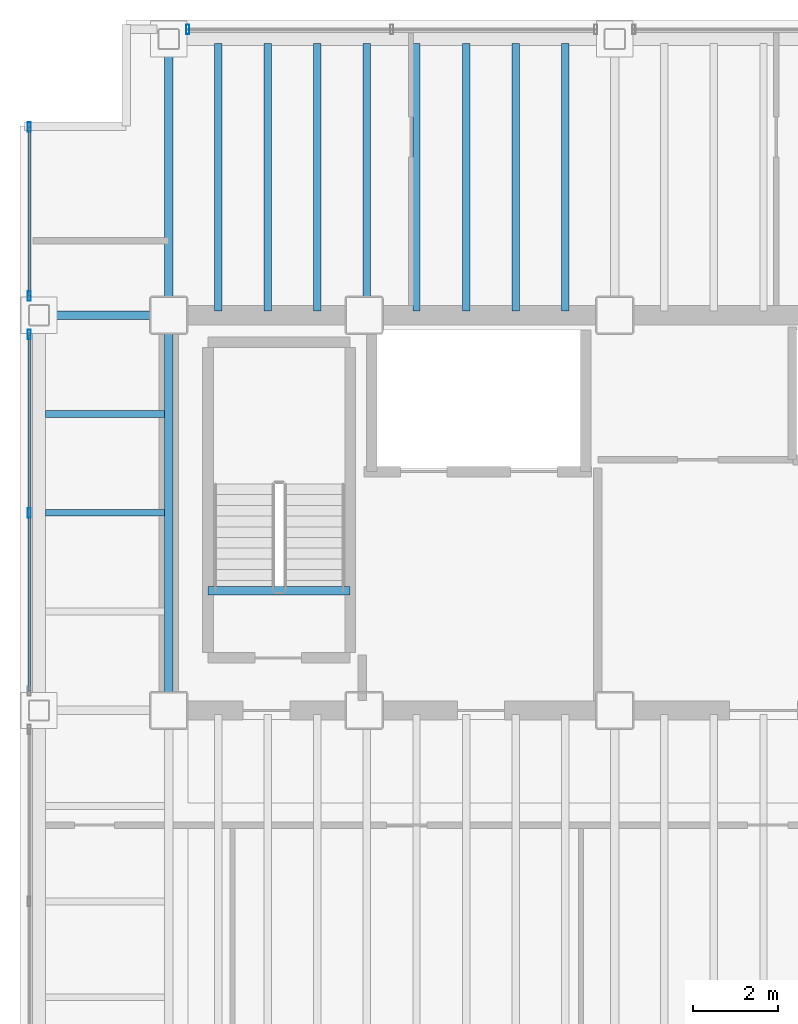
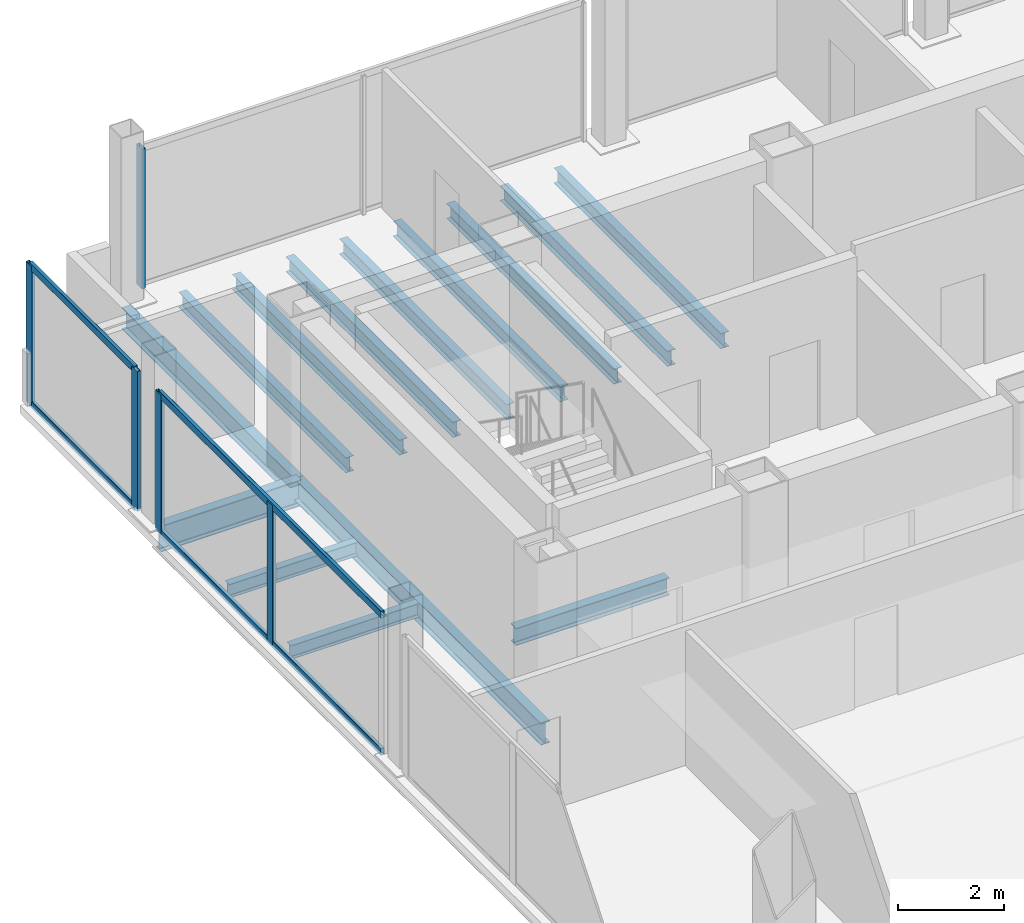
# One storey, part 6 of 16: 14 beams, 9 members, 3 elements without a shape of their own.
"""IFC4 building model written with IfcOpenShell, lengths in metres."""

from ifc_helpers import new_model, si_unit, direction, frame, origin, origin_2d, place, context, subcontext, project, spatial, hollow_rectangle, i_section, extrude, material, material_profile, profile_set, type_object, element, aggregate, save


model = new_model("IFC4")

# Units and contexts
model_context = context("Model", 3, precision=1e-05, world=origin(), true_north=direction((0.0, 1.0)))
body_context = subcontext(model_context, "Body", "Model", "MODEL_VIEW")
ifc_project = project(units=[si_unit("LENGTHUNIT", "METRE"), si_unit("AREAUNIT", "SQUARE_METRE"), si_unit("VOLUMEUNIT", "CUBIC_METRE"), si_unit("PLANEANGLEUNIT", "RADIAN"), si_unit("MASSUNIT", "GRAM", prefix="KILO")], contexts=[model_context])

# Site, building, storey
site_placement = place(None, origin())
site = spatial("IfcSite", under=ifc_project, at=site_placement, CompositionType="ELEMENT")
building_placement = place(site_placement, origin())
building = spatial("IfcBuilding", under=site, at=building_placement, Name="Noeulbin Bourse Tower", CompositionType="ELEMENT")
storey_placement = place(building_placement, frame((0.0, 0.0, 185.10009765625)))
storey = spatial("IfcBuildingStorey", under=building, at=storey_placement, Name="L46", CompositionType="ELEMENT", Elevation=185.10009765625)

# Beams
ifc_material_1 = material(Name="Steel S355", Category="steel")
ifc_material_profile_1 = material_profile(ifc_material_1, i_section(OverallWidth=0.199951171875, OverallDepth=0.5, WebThickness=0.010009765625, FlangeThickness=0.01611328125, FilletRadius=0.02001953125, at=origin_2d()), Name="H-500x200x10x16", Category="LoadBearing")
ifc_profile_set_1 = profile_set([ifc_material_profile_1], Name="Steel S355")
beam_type_1 = type_object("IfcBeamType", Name="BM-GRD-500", PredefinedType="USERDEFINED", material=ifc_profile_set_1)
beam_1_placement = place(storey_placement, frame((13.5, 29.0, -0.43017578125), z_axis=(0.0, 1.0, 0.0), x_axis=(-1.0, 0.0, 0.0)))
element("IfcBeam", 1, at=beam_1_placement, inside=storey, type_object=beam_type_1, Name="Tower Primary Girder NS L46-1.3", ObjectType="GIRDER", PredefinedType="USERDEFINED", context=body_context, shape_type="SweptSolid", body=[
    extrude(i_section(OverallWidth=0.199951171875, OverallDepth=0.5, WebThickness=0.010009765625, FlangeThickness=0.01611328125, FilletRadius=0.02001953125, at=origin_2d()), origin(), (0.0, 0.0, 1.0), 9.300048828125),
])
beam_2_placement = place(storey_placement, frame((13.5, 38.300048828125, -0.43017578125), z_axis=(0.0, 1.0, 0.0), x_axis=(-1.0, 0.0, 0.0)))
element("IfcBeam", 2, at=beam_2_placement, inside=storey, type_object=beam_type_1, Name="Tower Primary Girder NS L46-1.4", ObjectType="GIRDER", PredefinedType="USERDEFINED", context=body_context, shape_type="SweptSolid", body=[
    extrude(i_section(OverallWidth=0.199951171875, OverallDepth=0.5, WebThickness=0.010009765625, FlangeThickness=0.01611328125, FilletRadius=0.02001953125, at=origin_2d()), origin(), (0.0, 0.0, 1.0), 6.5),
])
ifc_material_profile_2 = material_profile(ifc_material_1, i_section(OverallWidth=0.199951171875, OverallDepth=0.60009765625, WebThickness=0.010986328125, FlangeThickness=0.01708984375, FilletRadius=0.02197265625, at=origin_2d()), Name="H-600x200x11x17", Category="LoadBearing")
ifc_profile_set_2 = profile_set([ifc_material_profile_2], Name="Steel S355")
beam_type_2 = type_object("IfcBeamType", Name="BM-GRD-600", PredefinedType="USERDEFINED", material=ifc_profile_set_2)
beam_3_placement = place(storey_placement, frame((10.449951171875, 38.300048828125, -0.47998046875), z_axis=(1.0, 0.0, 0.0), x_axis=(0.0, 1.0, 0.0)))
element("IfcBeam", 3, at=beam_3_placement, inside=storey, type_object=beam_type_2, Name="Tower Primary Girder EW L46-3.1", ObjectType="GIRDER", PredefinedType="USERDEFINED", context=body_context, shape_type="SweptSolid", body=[
    extrude(i_section(OverallWidth=0.199951171875, OverallDepth=0.60009765625, WebThickness=0.010986328125, FlangeThickness=0.01708984375, FilletRadius=0.02197265625, at=origin_2d()), origin(), (0.0, 0.0, 1.0), 3.050048828125),
])
ifc_material_profile_3 = material_profile(ifc_material_1, i_section(OverallWidth=0.159912109375, OverallDepth=0.320068359375, WebThickness=0.006591796875, FlangeThickness=0.010009765625, FilletRadius=0.012939453125, at=origin_2d()), Name="H-320x160x6.5x10", Category="LoadBearing")
ifc_profile_set_3 = profile_set([ifc_material_profile_3], Name="Steel S355")
beam_type_3 = type_object("IfcBeamType", Name="BM-JST-320", PredefinedType="JOIST", material=ifc_profile_set_3)
for number, where, z_axis, x_axis, name in (
    (4, (10.60009765625, 33.64990234375, -0.340087890625), (1.0, 0.0, 0.0), (0.0, 1.0, 0.0), "Wing Composite Joist L46-W71"),
    (5, (10.60009765625, 35.97509765625, -0.340087890625), (1.0, 0.0, 0.0), (0.0, 1.0, 0.0), "Wing Composite Joist L46-W72"),
):
    element("IfcBeam", number, at=place(storey_placement, frame(where, z_axis=z_axis, x_axis=x_axis)), inside=storey, type_object=beam_type_3, Name=name, PredefinedType="JOIST", context=body_context, shape_type="SweptSolid", body=[
        extrude(i_section(OverallWidth=0.159912109375, OverallDepth=0.320068359375, WebThickness=0.006591796875, FlangeThickness=0.010009765625, FilletRadius=0.012939453125, at=origin_2d()), origin(), (0.0, 0.0, 1.0), 2.7998046875),
    ])
ifc_material_profile_4 = material_profile(ifc_material_1, i_section(OverallWidth=0.175048828125, OverallDepth=0.35009765625, WebThickness=0.007080078125, FlangeThickness=0.010986328125, FilletRadius=0.013916015625, at=origin_2d()), Name="H-350x175x7x11", Category="LoadBearing")
ifc_profile_set_4 = profile_set([ifc_material_profile_4], Name="Steel S355")
beam_type_4 = type_object("IfcBeamType", Name="BM-JST-350", PredefinedType="JOIST", material=ifc_profile_set_4)
for number, where, z_axis, x_axis, name in (
    (6, (14.666748046875, 38.39990234375, -0.35498046875), (0.0, 1.0, 0.0), (-1.0, 0.0, 0.0), "Tower Composite Joist L46-03"),
    (7, (15.833251953125, 38.39990234375, -0.35498046875), (0.0, 1.0, 0.0), (-1.0, 0.0, 0.0), "Tower Composite Joist L46-06"),
    (8, (17.0, 38.39990234375, -0.35498046875), (0.0, 1.0, 0.0), (-1.0, 0.0, 0.0), "Tower Composite Joist L46-09"),
    (9, (18.166748046875, 38.39990234375, -0.35498046875), (0.0, 1.0, 0.0), (-1.0, 0.0, 0.0), "Tower Composite Joist L46-12"),
    (10, (19.333251953125, 38.39990234375, -0.35498046875), (0.0, 1.0, 0.0), (-1.0, 0.0, 0.0), "Tower Composite Joist L46-15"),
    (11, (20.5, 38.39990234375, -0.35498046875), (0.0, 1.0, 0.0), (-1.0, 0.0, 0.0), "Tower Composite Joist L46-18"),
    (12, (21.666748046875, 38.39990234375, -0.35498046875), (0.0, 1.0, 0.0), (-1.0, 0.0, 0.0), "Tower Composite Joist L46-21"),
    (13, (22.833251953125, 38.39990234375, -0.35498046875), (0.0, 1.0, 0.0), (-1.0, 0.0, 0.0), "Tower Composite Joist L46-24"),
):
    element("IfcBeam", number, at=place(storey_placement, frame(where, z_axis=z_axis, x_axis=x_axis)), inside=storey, type_object=beam_type_4, Name=name, PredefinedType="JOIST", context=body_context, shape_type="SweptSolid", body=[
        extrude(i_section(OverallWidth=0.175048828125, OverallDepth=0.35009765625, WebThickness=0.007080078125, FlangeThickness=0.010986328125, FilletRadius=0.013916015625, at=origin_2d()), origin(), (0.0, 0.0, 1.0), 6.300048828125),
    ])
ifc_material_profile_5 = material_profile(ifc_material_1, i_section(OverallWidth=0.199951171875, OverallDepth=0.39990234375, WebThickness=0.008056640625, FlangeThickness=0.012939453125, FilletRadius=0.01611328125, at=origin_2d()), Name="H-400x200x8x13", Category="LoadBearing")
ifc_profile_set_5 = profile_set([ifc_material_profile_5], Name="Steel S355")
beam_type_5 = type_object("IfcBeamType", Name="BM-SEC-400", PredefinedType="BEAM", material=ifc_profile_set_5)
beam_4_placement = place(storey_placement, frame((14.429931640625, 31.820068359375, -0.2001953125), z_axis=(1.0, 0.0, 0.0), x_axis=(0.0, 1.0, 0.0)))
element("IfcBeam", 14, at=beam_4_placement, inside=storey, type_object=beam_type_5, Name="Stair Threshold Trimmer Beam ST1-L46", PredefinedType="BEAM", context=body_context, shape_type="SweptSolid", body=[
    extrude(i_section(OverallWidth=0.199951171875, OverallDepth=0.39990234375, WebThickness=0.008056640625, FlangeThickness=0.012939453125, FilletRadius=0.01611328125, at=origin_2d()), origin(), (0.0, 0.0, 1.0), 3.340087890625),
])

# Curtain wall, member
ifc_material_2 = material(Name="Dark Tinted Triple Glazing", Category="glass")
curtain_wall_type = type_object("IfcCurtainWallType", Name="CW-SYS-3", PredefinedType="NOTDEFINED", material=ifc_material_2)
curtain_wall_1_placement = place(storey_placement, origin())
curtain_wall_1 = element("IfcCurtainWall", 15, at=curtain_wall_1_placement, inside=storey, type_object=curtain_wall_type, Name="Unitised Curtain Wall CW-L46-N-S1", PredefinedType="NOTDEFINED")
ifc_material_3 = material(Name="Anodised Aluminium 6063-T6", Category="aluminium")
ifc_material_profile_6 = material_profile(ifc_material_3, hollow_rectangle(XDim=0.074951171875, YDim=0.219970703125, WallThickness=0.0048828125, InnerFilletRadius=0.00244140625, OuterFilletRadius=0.0048828125, at=origin_2d()), Name="ALU-MULL-75x220x5", Category="LoadBearing")
ifc_profile_set_6 = profile_set([ifc_material_profile_6], Name="Anodised Aluminium 6063-T6")
member_type_1 = type_object("IfcMemberType", Name="CW-SYS-3-MUL", PredefinedType="MULLION", material=ifc_profile_set_6)
member_1_placement = place(storey_placement, frame((13.949951171875, 45.030029296875, -0.02001953125), z_axis=(0.0, 0.0, 1.0), x_axis=(1.0, 0.0, 0.0)))
member_1 = element("IfcMember", 16, at=member_1_placement, type_object=member_type_1, Name="Curtain Wall Mullion CW-L46-N-S1-M00", PredefinedType="MULLION", context=body_context, shape_type="SweptSolid", body=[
    extrude(hollow_rectangle(XDim=0.074951171875, YDim=0.219970703125, WallThickness=0.0048828125, InnerFilletRadius=0.00244140625, OuterFilletRadius=0.0048828125, at=origin_2d()), origin(), (0.0, 0.0, 1.0), 3.219970703125),
])
aggregate(curtain_wall_1, [member_1])

# Curtain wall, members
curtain_wall_2_placement = place(storey_placement, origin())
curtain_wall_2 = element("IfcCurtainWall", 17, at=curtain_wall_2_placement, inside=storey, type_object=curtain_wall_type, Name="Unitised Curtain Wall CW-L46-W-S2", PredefinedType="NOTDEFINED")
member_2_placement = place(storey_placement, frame((10.219970703125, 33.64990234375, -0.02001953125), z_axis=(0.0, 0.0, 1.0), x_axis=(1.0, 0.0, 0.0)))
member_2 = element("IfcMember", 18, at=member_2_placement, type_object=member_type_1, Name="Curtain Wall Mullion CW-L46-W-S2-M01", PredefinedType="MULLION", context=body_context, shape_type="SweptSolid", body=[
    extrude(hollow_rectangle(XDim=0.074951171875, YDim=0.219970703125, WallThickness=0.0048828125, InnerFilletRadius=0.00244140625, OuterFilletRadius=0.0048828125, at=origin_2d()), origin(), (0.0, 0.0, 1.0), 3.219970703125),
])
member_3_placement = place(storey_placement, frame((10.219970703125, 37.85009765625, -0.02001953125), z_axis=(0.0, 0.0, 1.0), x_axis=(1.0, 0.0, 0.0)))
member_3 = element("IfcMember", 19, at=member_3_placement, type_object=member_type_1, Name="Curtain Wall Mullion CW-L46-W-S2-M02", PredefinedType="MULLION", context=body_context, shape_type="SweptSolid", body=[
    extrude(hollow_rectangle(XDim=0.074951171875, YDim=0.219970703125, WallThickness=0.0048828125, InnerFilletRadius=0.00244140625, OuterFilletRadius=0.0048828125, at=origin_2d()), origin(), (0.0, 0.0, 1.0), 3.219970703125),
])

curtain_wall_3_placement = place(storey_placement, origin())
curtain_wall_3 = element("IfcCurtainWall", 20, at=curtain_wall_3_placement, inside=storey, type_object=curtain_wall_type, Name="Unitised Curtain Wall CW-L46-W-S3", PredefinedType="NOTDEFINED")
member_4_placement = place(storey_placement, frame((10.219970703125, 38.75, -0.02001953125), z_axis=(0.0, 0.0, 1.0), x_axis=(1.0, 0.0, 0.0)))
member_4 = element("IfcMember", 21, at=member_4_placement, type_object=member_type_1, Name="Curtain Wall Mullion CW-L46-W-S3-M00", PredefinedType="MULLION", context=body_context, shape_type="SweptSolid", body=[
    extrude(hollow_rectangle(XDim=0.074951171875, YDim=0.219970703125, WallThickness=0.0048828125, InnerFilletRadius=0.00244140625, OuterFilletRadius=0.0048828125, at=origin_2d()), origin(), (0.0, 0.0, 1.0), 3.219970703125),
])
member_5_placement = place(storey_placement, frame((10.219970703125, 42.72998046875, -0.02001953125), z_axis=(0.0, 0.0, 1.0), x_axis=(1.0, 0.0, 0.0)))
member_5 = element("IfcMember", 22, at=member_5_placement, type_object=member_type_1, Name="Curtain Wall Mullion CW-L46-W-S3-M01", PredefinedType="MULLION", context=body_context, shape_type="SweptSolid", body=[
    extrude(hollow_rectangle(XDim=0.074951171875, YDim=0.219970703125, WallThickness=0.0048828125, InnerFilletRadius=0.00244140625, OuterFilletRadius=0.0048828125, at=origin_2d()), origin(), (0.0, 0.0, 1.0), 3.219970703125),
])

# Member
ifc_material_profile_7 = material_profile(ifc_material_3, hollow_rectangle(XDim=0.074951171875, YDim=0.159912109375, WallThickness=0.0048828125, InnerFilletRadius=0.00244140625, OuterFilletRadius=0.0048828125, at=origin_2d()), Name="ALU-TRAN-75x160x5", Category="LoadBearing")
ifc_profile_set_7 = profile_set([ifc_material_profile_7], Name="Anodised Aluminium 6063-T6")
member_type_2 = type_object("IfcMemberType", Name="CW-SYS-3-TRN", PredefinedType="USERDEFINED", material=ifc_profile_set_7)
member_6_placement = place(storey_placement, frame((10.219970703125, 29.4599609375, 0.010009765625), z_axis=(0.0, 1.0, 0.0), x_axis=(-1.0, 0.0, 0.0)))
member_6 = element("IfcMember", 23, at=member_6_placement, type_object=member_type_2, Name="Curtain Wall Transom CW-L46-W-S2-T00", ObjectType="TRANSOM", PredefinedType="USERDEFINED", context=body_context, shape_type="SweptSolid", body=[
    extrude(hollow_rectangle(XDim=0.074951171875, YDim=0.159912109375, WallThickness=0.0048828125, InnerFilletRadius=0.00244140625, OuterFilletRadius=0.0048828125, at=origin_2d()), origin(), (0.0, 0.0, 1.0), 8.380126953125),
])

member_7_placement = place(storey_placement, frame((10.219970703125, 29.4599609375, 3.169921875), z_axis=(0.0, 1.0, 0.0), x_axis=(-1.0, 0.0, 0.0)))
member_7 = element("IfcMember", 24, at=member_7_placement, type_object=member_type_2, Name="Curtain Wall Transom CW-L46-W-S2-T01", ObjectType="TRANSOM", PredefinedType="USERDEFINED", context=body_context, shape_type="SweptSolid", body=[
    extrude(hollow_rectangle(XDim=0.074951171875, YDim=0.159912109375, WallThickness=0.0048828125, InnerFilletRadius=0.00244140625, OuterFilletRadius=0.0048828125, at=origin_2d()), origin(), (0.0, 0.0, 1.0), 8.380126953125),
])

aggregate(curtain_wall_2, [member_2, member_3, member_6, member_7])

member_8_placement = place(storey_placement, frame((10.219970703125, 38.760009765625, 0.010009765625), z_axis=(0.0, 1.0, 0.0), x_axis=(-1.0, 0.0, 0.0)))
member_8 = element("IfcMember", 25, at=member_8_placement, type_object=member_type_2, Name="Curtain Wall Transom CW-L46-W-S3-T00", ObjectType="TRANSOM", PredefinedType="USERDEFINED", context=body_context, shape_type="SweptSolid", body=[
    extrude(hollow_rectangle(XDim=0.074951171875, YDim=0.159912109375, WallThickness=0.0048828125, InnerFilletRadius=0.00244140625, OuterFilletRadius=0.0048828125, at=origin_2d()), origin(), (0.0, 0.0, 1.0), 3.9599609375),
])

member_9_placement = place(storey_placement, frame((10.219970703125, 38.760009765625, 3.169921875), z_axis=(0.0, 1.0, 0.0), x_axis=(-1.0, 0.0, 0.0)))
member_9 = element("IfcMember", 26, at=member_9_placement, type_object=member_type_2, Name="Curtain Wall Transom CW-L46-W-S3-T01", ObjectType="TRANSOM", PredefinedType="USERDEFINED", context=body_context, shape_type="SweptSolid", body=[
    extrude(hollow_rectangle(XDim=0.074951171875, YDim=0.159912109375, WallThickness=0.0048828125, InnerFilletRadius=0.00244140625, OuterFilletRadius=0.0048828125, at=origin_2d()), origin(), (0.0, 0.0, 1.0), 3.9599609375),
])

aggregate(curtain_wall_3, [member_4, member_5, member_8, member_9])

save(model, "model.ifc")
